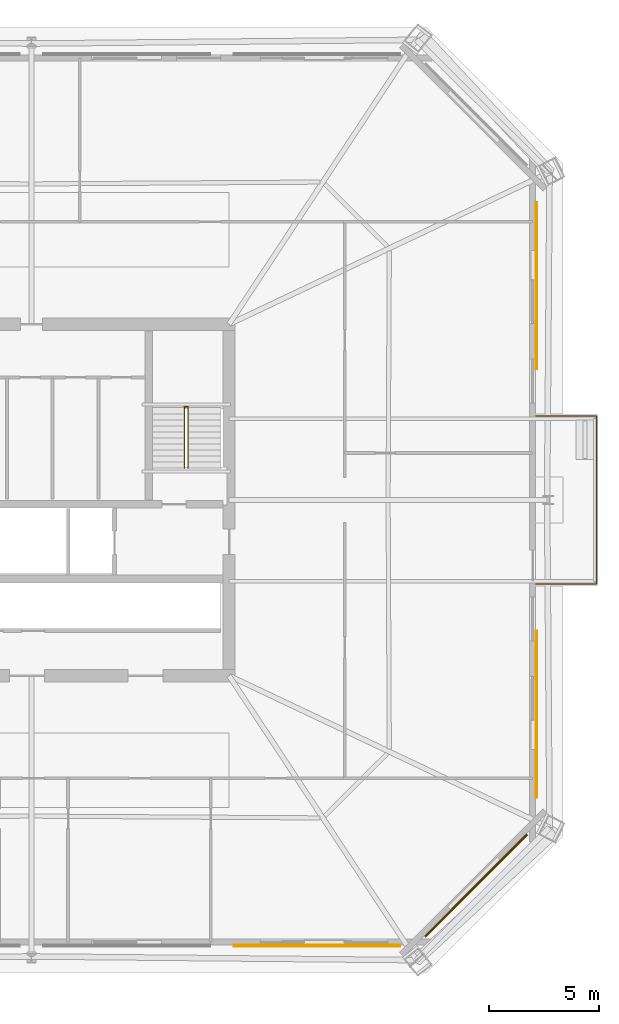
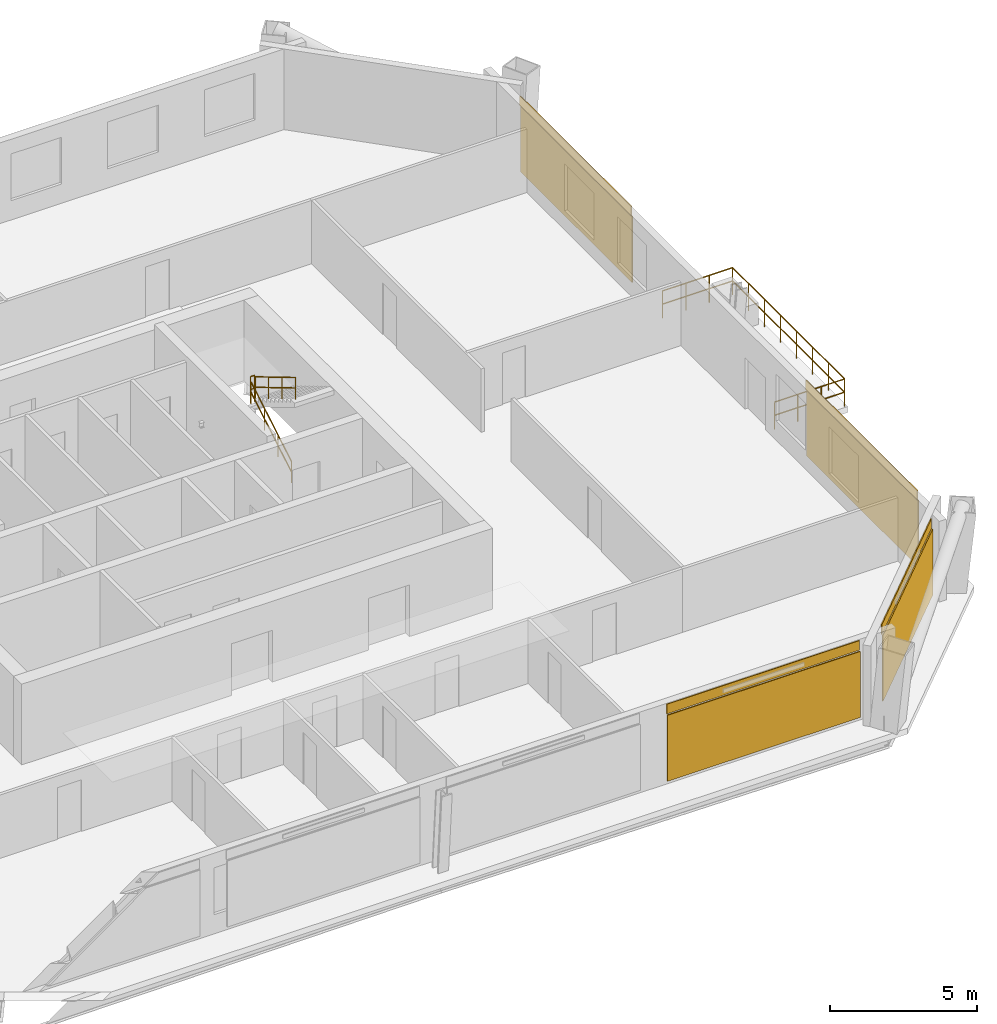
# One storey, part 7 of 8: 4 coverings, 4 railings, 4 shading devices.
"""IFC4 building model written with IfcOpenShell, lengths in metres."""

from ifc_helpers import new_model, si_unit, direction, frame, origin, origin_2d, place, context, subcontext, project, spatial, rectangle, circle, extrude, material, layer, layer_set, type_object, element, save


model = new_model("IFC4")

# Units and contexts
model_context = context("Model", 3, precision=1e-05, world=origin(), true_north=direction((0.0, 1.0)))
body_context = subcontext(model_context, "Body", "Model", "MODEL_VIEW")
ifc_project = project(units=[si_unit("LENGTHUNIT", "METRE"), si_unit("AREAUNIT", "SQUARE_METRE"), si_unit("VOLUMEUNIT", "CUBIC_METRE"), si_unit("PLANEANGLEUNIT", "RADIAN"), si_unit("MASSUNIT", "GRAM", prefix="KILO")], contexts=[model_context])

# Site, building, storey
site_placement = place(None, origin())
site = spatial("IfcSite", under=ifc_project, at=site_placement, CompositionType="ELEMENT")
building_placement = place(site_placement, origin())
building = spatial("IfcBuilding", under=site, at=building_placement, Name="Caelvoria Tower", CompositionType="ELEMENT")
storey_placement = place(building_placement, frame((0.0, 0.0, 145.60009765625)))
storey = spatial("IfcBuildingStorey", under=building, at=storey_placement, Name="L38", CompositionType="ELEMENT", Elevation=145.60009765625)

# Railing
ifc_material_1 = material(Name="Bronze Anodised Aluminium and Stainless Steel", Category="steel")
railing_type_1 = type_object("IfcRailingType", Name="Exterior Terrace and Balcony Guardrail 1150", PredefinedType="GUARDRAIL", material=ifc_material_1)
railing_1_placement = place(storey_placement, frame((68.9599609375, 28.179931640625, 0.0)))
element("IfcRailing", 1, at=railing_1_placement, inside=storey, type_object=railing_type_1, Name="Tree Balcony Guardrail TB-L38-E", PredefinedType="GUARDRAIL", context=body_context, shape_type="SweptSolid", body=[
    extrude(circle(Radius=0.02392578125, at=origin_2d()), frame((0.0, 0.0, 1.1259765625), z_axis=(1.0, 0.0, 0.0), x_axis=(0.0, 1.0, 0.0)), (0.0, 0.0, 1.0), 2.760009765625),
    extrude(circle(Radius=0.02392578125, at=origin_2d()), frame((0.0, 0.0, 0.574951171875), z_axis=(1.0, 0.0, 0.0), x_axis=(0.0, 1.0, 0.0)), (0.0, 0.0, 1.0), 2.760009765625),
    extrude(circle(Radius=0.02392578125, at=origin_2d()), frame((2.760009765625, 0.0, 1.1259765625), z_axis=(0.0, 1.0, 0.0), x_axis=(-1.0, 0.0, 0.0)), (0.0, 0.0, 1.0), 7.64013671875),
    extrude(circle(Radius=0.02392578125, at=origin_2d()), frame((2.760009765625, 0.0, 0.574951171875), z_axis=(0.0, 1.0, 0.0), x_axis=(-1.0, 0.0, 0.0)), (0.0, 0.0, 1.0), 7.64013671875),
    extrude(circle(Radius=0.02392578125, at=origin_2d()), frame((2.760009765625, 7.64013671875, 1.1259765625), z_axis=(-1.0, 0.0, 0.0), x_axis=(0.0, -1.0, 0.0)), (0.0, 0.0, 1.0), 2.760009765625),
    extrude(circle(Radius=0.02392578125, at=origin_2d()), frame((2.760009765625, 7.64013671875, 0.574951171875), z_axis=(-1.0, 0.0, 0.0), x_axis=(0.0, -1.0, 0.0)), (0.0, 0.0, 1.0), 2.760009765625),
    extrude(circle(Radius=0.02099609375, at=origin_2d()), origin(), (0.0, 0.0, 1.0), 1.101806640625),
    extrude(circle(Radius=0.02099609375, at=origin_2d()), frame((0.919921875, 0.0, 0.0)), (0.0, 0.0, 1.0), 1.101806640625),
    extrude(circle(Radius=0.02099609375, at=origin_2d()), frame((1.840087890625, 0.0, 0.0)), (0.0, 0.0, 1.0), 1.101806640625),
    extrude(circle(Radius=0.02099609375, at=origin_2d()), frame((2.760009765625, 0.0, 0.0)), (0.0, 0.0, 1.0), 1.101806640625),
    extrude(circle(Radius=0.02099609375, at=origin_2d()), frame((2.760009765625, 1.091552734375, 0.0)), (0.0, 0.0, 1.0), 1.101806640625),
    extrude(circle(Radius=0.02099609375, at=origin_2d()), frame((2.760009765625, 2.182861328125, 0.0)), (0.0, 0.0, 1.0), 1.101806640625),
    extrude(circle(Radius=0.02099609375, at=origin_2d()), frame((2.760009765625, 3.2744140625, 0.0)), (0.0, 0.0, 1.0), 1.101806640625),
    extrude(circle(Radius=0.02099609375, at=origin_2d()), frame((2.760009765625, 4.36572265625, 0.0)), (0.0, 0.0, 1.0), 1.101806640625),
    extrude(circle(Radius=0.02099609375, at=origin_2d()), frame((2.760009765625, 5.457275390625, 0.0)), (0.0, 0.0, 1.0), 1.101806640625),
    extrude(circle(Radius=0.02099609375, at=origin_2d()), frame((2.760009765625, 6.548583984375, 0.0)), (0.0, 0.0, 1.0), 1.101806640625),
    extrude(circle(Radius=0.02099609375, at=origin_2d()), frame((2.760009765625, 7.64013671875, 0.0)), (0.0, 0.0, 1.0), 1.101806640625),
    extrude(circle(Radius=0.02099609375, at=origin_2d()), frame((1.840087890625, 7.64013671875, 0.0)), (0.0, 0.0, 1.0), 1.101806640625),
    extrude(circle(Radius=0.02099609375, at=origin_2d()), frame((0.919921875, 7.64013671875, 0.0)), (0.0, 0.0, 1.0), 1.101806640625),
    extrude(circle(Radius=0.02099609375, at=origin_2d()), frame((0.0, 7.64013671875, 0.0)), (0.0, 0.0, 1.0), 1.101806640625),
])

# Coverings
ifc_material_2 = material(Name="Perforated Architectural Bronze Cladding Screen", Category="bronze")
ifc_layer_1 = layer(ifc_material_2, 0.0400390625, Name="Perforated Architectural Bronze Cladding Screen")
ifc_layer_set_1 = layer_set([ifc_layer_1], Name="Perforated Bronze Louvre Cladding Band 40 - Perforated Architectural Bronze Cladding Screen")
covering_type = type_object("IfcCoveringType", Name="Perforated Bronze Louvre Cladding Band 40", PredefinedType="CLADDING", material=ifc_layer_set_1)
covering_1_placement = place(storey_placement, frame((59.0048828125, 11.72802734375, 2.93994140625), z_axis=(0.0, 0.0, 1.0), x_axis=(1.0, 0.0, 0.0)))
element("IfcCovering", 2, at=covering_1_placement, inside=storey, type_object=covering_type, Name="Perforated Bronze Screen Band L38-E0-03", PredefinedType="CLADDING", context=body_context, shape_type="SweptSolid", body=[
    extrude(rectangle(XDim=7.60009765625, YDim=0.0400390625, at=origin_2d()), origin(), (0.0, 0.0, 1.0), 0.39990234375),
])
covering_2_placement = place(storey_placement, frame((66.231689453125, 14.46826171875, 2.93994140625), z_axis=(0.0, 0.0, 1.0), x_axis=(0.707106781187, 0.707106781187, 0.0)))
element("IfcCovering", 3, at=covering_2_placement, inside=storey, type_object=covering_type, Name="Perforated Bronze Screen Band L38-E1-00", PredefinedType="CLADDING", context=body_context, shape_type="SweptSolid", body=[
    extrude(rectangle(XDim=6.55419921875, YDim=0.0400390625, at=origin_2d()), origin(), (0.0, 0.0, 1.0), 0.39990234375),
])
for number, where, z_axis, x_axis, name in (
    (4, (68.971923828125, 22.239990234375, 2.93994140625), (0.0, 0.0, 1.0), (0.0, 1.0, 0.0), "Perforated Bronze Screen Band L38-E2-00"),
    (5, (68.971923828125, 41.760009765625, 2.93994140625), (0.0, 0.0, 1.0), (0.0, 1.0, 0.0), "Perforated Bronze Screen Band L38-E2-02"),
):
    element("IfcCovering", number, at=place(storey_placement, frame(where, z_axis=z_axis, x_axis=x_axis)), inside=storey, type_object=covering_type, Name=name, PredefinedType="CLADDING", context=body_context, shape_type="SweptSolid", body=[
        extrude(rectangle(XDim=7.60009765625, YDim=0.0400390625, at=origin_2d()), origin(), (0.0, 0.0, 1.0), 0.39990234375),
    ])

# Shading devices
ifc_material_3 = material(Name="Perforated Architectural Bronze Alloy Panel", Category="bronze")
ifc_layer_2 = layer(ifc_material_3, 0.044921875, Name="Perforated Architectural Bronze Alloy Panel")
ifc_layer_set_2 = layer_set([ifc_layer_2], Name="Perforated Bronze Solar Screen Panel SCREEN - Perforated Architectural Bronze Alloy Panel")
shading_device_type = type_object("IfcShadingDeviceType", Name="Perforated Bronze Solar Screen Panel SCREEN", PredefinedType="USERDEFINED", material=ifc_layer_set_2)
shading_device_1_placement = place(storey_placement, frame((59.0048828125, 11.68505859375, 0.159912109375), z_axis=(0.0, 0.0, 1.0), x_axis=(1.0, 0.0, 0.0)))
element("IfcShadingDevice", 6, at=shading_device_1_placement, inside=storey, type_object=shading_device_type, Name="Perforated Bronze Solar Screen L38-E0-03", ObjectType="SCREEN", PredefinedType="USERDEFINED", context=body_context, shape_type="SweptSolid", body=[
    extrude(rectangle(XDim=7.60009765625, YDim=0.044921875, at=origin_2d()), origin(), (0.0, 0.0, 1.0), 2.75),
])
shading_device_2_placement = place(storey_placement, frame((66.26220703125, 14.43798828125, 0.159912109375), z_axis=(0.0, 0.0, 1.0), x_axis=(0.707106781187, 0.707106781187, 0.0)))
element("IfcShadingDevice", 7, at=shading_device_2_placement, inside=storey, type_object=shading_device_type, Name="Perforated Bronze Solar Screen L38-E1-00", ObjectType="SCREEN", PredefinedType="USERDEFINED", context=body_context, shape_type="SweptSolid", body=[
    extrude(rectangle(XDim=6.55419921875, YDim=0.044921875, at=origin_2d()), origin(), (0.0, 0.0, 1.0), 2.75),
])
for number, where, z_axis, x_axis, name in (
    (8, (69.014892578125, 22.239990234375, 0.159912109375), (0.0, 0.0, 1.0), (0.0, 1.0, 0.0), "Perforated Bronze Solar Screen L38-E2-00"),
    (9, (69.014892578125, 41.760009765625, 0.159912109375), (0.0, 0.0, 1.0), (0.0, 1.0, 0.0), "Perforated Bronze Solar Screen L38-E2-02"),
):
    element("IfcShadingDevice", number, at=place(storey_placement, frame(where, z_axis=z_axis, x_axis=x_axis)), inside=storey, type_object=shading_device_type, Name=name, ObjectType="SCREEN", PredefinedType="USERDEFINED", context=body_context, shape_type="SweptSolid", body=[
        extrude(rectangle(XDim=7.60009765625, YDim=0.044921875, at=origin_2d()), origin(), (0.0, 0.0, 1.0), 2.75),
    ])

# Railings
ifc_material_4 = material(Name="Brushed Stainless Steel Tube", Category="steel")
railing_type_2 = type_object("IfcRailingType", Name="Stair Tubular Stainless Handrail 920", PredefinedType="HANDRAIL", material=ifc_material_4)
railing_2_placement = place(storey_placement, frame((52.969970703125, 33.449951171875, 0.16357421875)))
element("IfcRailing", 10, at=railing_2_placement, inside=storey, type_object=railing_type_2, Name="ST-02 Flight 1 Handrail L38", PredefinedType="HANDRAIL", context=body_context, shape_type="SweptSolid", body=[
    extrude(circle(Radius=0.02392578125, at=origin_2d()), frame((0.0, 0.0, 0.89599609375), z_axis=(0.0, 0.859385484447, 0.511328259656), x_axis=(-1.0, 0.0, 0.0)), (0.0, 0.0, 1.0), 3.199951171875),
    extrude(circle(Radius=0.02392578125, at=origin_2d()), frame((0.0, 0.0, 0.4599609375), z_axis=(0.0, 0.859385484447, 0.511328259656), x_axis=(-1.0, 0.0, 0.0)), (0.0, 0.0, 1.0), 3.199951171875),
    extrude(circle(Radius=0.02099609375, at=origin_2d()), origin(), (0.0, 0.0, 1.0), 0.871826171875),
    extrude(circle(Radius=0.02099609375, at=origin_2d()), frame((0.0, 0.916748046875, 0.54541015625)), (0.0, 0.0, 1.0), 0.871826171875),
    extrude(circle(Radius=0.02099609375, at=origin_2d()), frame((0.0, 1.833251953125, 1.0908203125)), (0.0, 0.0, 1.0), 0.871826171875),
    extrude(circle(Radius=0.02099609375, at=origin_2d()), frame((0.0, 2.75, 1.63623046875)), (0.0, 0.0, 1.0), 0.871826171875),
])
railing_3_placement = place(storey_placement, frame((53.1298828125, 36.199951171875, 1.963623046875)))
element("IfcRailing", 11, at=railing_3_placement, inside=storey, type_object=railing_type_2, Name="ST-02 Flight 2 Handrail L38", PredefinedType="HANDRAIL", context=body_context, shape_type="SweptSolid", body=[
    extrude(circle(Radius=0.02392578125, at=origin_2d()), frame((0.0, 0.0, 0.89599609375), z_axis=(0.0, -0.859385484447, 0.511328259656), x_axis=(1.0, 0.0, 0.0)), (0.0, 0.0, 1.0), 3.199951171875),
    extrude(circle(Radius=0.02392578125, at=origin_2d()), frame((0.0, 0.0, 0.4599609375), z_axis=(0.0, -0.859385484447, 0.511328259656), x_axis=(1.0, 0.0, 0.0)), (0.0, 0.0, 1.0), 3.199951171875),
    extrude(circle(Radius=0.02099609375, at=origin_2d()), origin(), (0.0, 0.0, 1.0), 0.871826171875),
    extrude(circle(Radius=0.02099609375, at=origin_2d()), frame((0.0, -0.916748046875, 0.54541015625)), (0.0, 0.0, 1.0), 0.871826171875),
    extrude(circle(Radius=0.02099609375, at=origin_2d()), frame((0.0, -1.833251953125, 1.0908203125)), (0.0, 0.0, 1.0), 0.871826171875),
    extrude(circle(Radius=0.02099609375, at=origin_2d()), frame((0.0, -2.75, 1.63623046875)), (0.0, 0.0, 1.0), 0.871826171875),
])
ifc_material_5 = material(Name="Brushed Stainless Steel Guardrail", Category="steel")
railing_type_3 = type_object("IfcRailingType", Name="Stair Well and Ramp Guardrail 1120", PredefinedType="GUARDRAIL", material=ifc_material_5)
railing_4_placement = place(storey_placement, frame((52.969970703125, 36.239990234375, 1.7998046875)))
element("IfcRailing", 12, at=railing_4_placement, inside=storey, type_object=railing_type_3, Name="ST-02 Half-Landing Well Guard L38", PredefinedType="GUARDRAIL", context=body_context, shape_type="SweptSolid", body=[
    extrude(circle(Radius=0.02392578125, at=origin_2d()), frame((0.0, 0.0, 1.09619140625), z_axis=(1.0, 0.0, 0.0), x_axis=(0.0, 1.0, 0.0)), (0.0, 0.0, 1.0), 0.159912109375),
    extrude(circle(Radius=0.02392578125, at=origin_2d()), frame((0.0, 0.0, 0.56005859375), z_axis=(1.0, 0.0, 0.0), x_axis=(0.0, 1.0, 0.0)), (0.0, 0.0, 1.0), 0.159912109375),
    extrude(circle(Radius=0.02099609375, at=origin_2d()), origin(), (0.0, 0.0, 1.0), 1.072021484375),
    extrude(circle(Radius=0.02099609375, at=origin_2d()), frame((0.159912109375, 0.0, 0.0)), (0.0, 0.0, 1.0), 1.072021484375),
])

save(model, "model.ifc")
